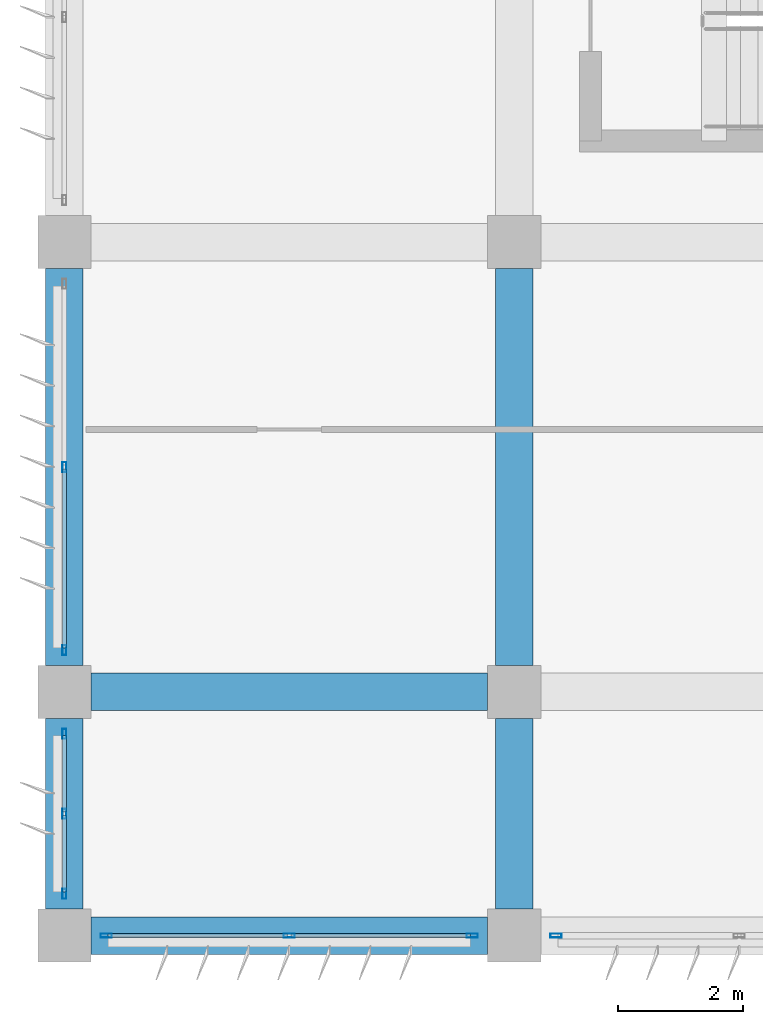
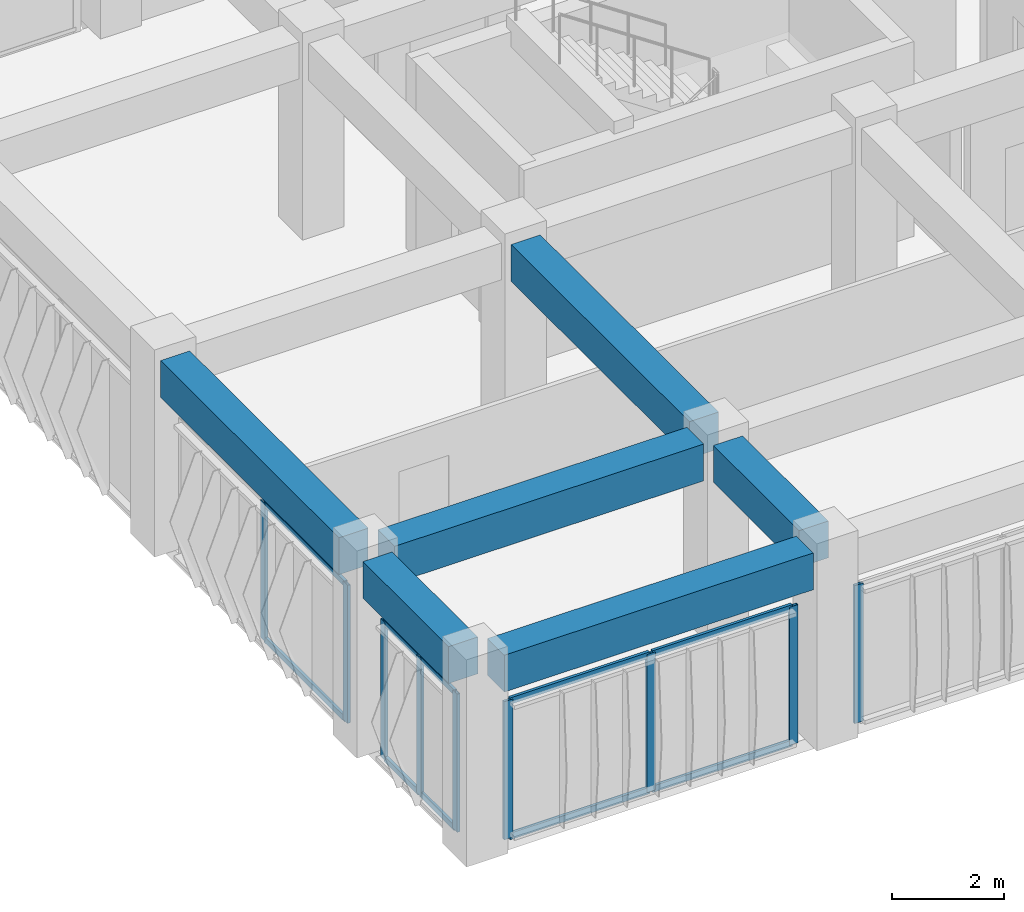
# One storey, part 2 of 48: 19 members, 6 beams, 4 elements without a shape of their own.
"""IFC4 building model written with IfcOpenShell, lengths in metres."""

from ifc_helpers import new_model, si_unit, direction, frame, origin, origin_2d, place, context, subcontext, project, spatial, rectangle, hollow_rectangle, extrude, material, material_profile, profile_set, type_object, element, aggregate, save


model = new_model("IFC4")

# Units and contexts
model_context = context("Model", 3, precision=1e-05, world=origin(), true_north=direction((0.0, 1.0)))
body_context = subcontext(model_context, "Body", "Model", "MODEL_VIEW")
ifc_project = project(units=[si_unit("LENGTHUNIT", "METRE"), si_unit("AREAUNIT", "SQUARE_METRE"), si_unit("VOLUMEUNIT", "CUBIC_METRE"), si_unit("PLANEANGLEUNIT", "RADIAN"), si_unit("MASSUNIT", "GRAM", prefix="KILO")], contexts=[model_context])

# Site, building, storey
site_placement = place(None, origin())
site = spatial("IfcSite", under=ifc_project, at=site_placement, CompositionType="ELEMENT")
building_placement = place(site_placement, origin())
building = spatial("IfcBuilding", under=site, at=building_placement, Name="Kazehaya Institute of Natural Sciences", CompositionType="ELEMENT")
storey_placement = place(building_placement, frame((0.0, 0.0, 19.800048828125)))
storey = spatial("IfcBuildingStorey", under=building, at=storey_placement, Name="L04", CompositionType="ELEMENT", Elevation=19.800048828125)

# Beams
ifc_material_1 = material(Name="Concrete Fc36", Category="concrete")
ifc_material_profile_1 = material_profile(ifc_material_1, rectangle(XDim=0.60009765625, YDim=0.800048828125, at=origin_2d()), Name="RC-600x800")
ifc_profile_set_1 = profile_set([ifc_material_profile_1], Name="Concrete Fc36")
beam_type = type_object("IfcBeamType", Name="BM-G-600x800", PredefinedType="BEAM", material=ifc_profile_set_1)
for number, where, z_axis, x_axis, name in (
    (1, (55.02490234375, 10.10009765625, 3.829833984375), (1.0, 0.0, 0.0), (0.0, 1.0, 0.0), "L04 primary X girder BMX-L04-546-101"),
    (2, (55.02490234375, 14.0, 3.829833984375), (1.0, 0.0, 0.0), (0.0, 1.0, 0.0), "L04 primary X girder BMX-L04-546-140"),
):
    element("IfcBeam", number, at=place(storey_placement, frame(where, z_axis=z_axis, x_axis=x_axis)), inside=storey, type_object=beam_type, Name=name, PredefinedType="BEAM", context=body_context, shape_type="SweptSolid", body=[
        extrude(rectangle(XDim=0.60009765625, YDim=0.800048828125, at=origin_2d()), origin(), (0.0, 0.0, 1.0), 6.35009765625),
    ])
beam_1_placement = place(storey_placement, frame((54.60009765625, 10.52490234375, 3.829833984375), z_axis=(0.0, 1.0, 0.0), x_axis=(-1.0, 0.0, 0.0)))
element("IfcBeam", 3, at=beam_1_placement, inside=storey, type_object=beam_type, Name="L04 primary Y girder BMY-L04-546-101", PredefinedType="BEAM", context=body_context, shape_type="SweptSolid", body=[
    extrude(rectangle(XDim=0.60009765625, YDim=0.800048828125, at=origin_2d()), origin(), (0.0, 0.0, 1.0), 3.050048828125),
])
beam_2_placement = place(storey_placement, frame((54.60009765625, 14.425048828125, 3.829833984375), z_axis=(0.0, 1.0, 0.0), x_axis=(-1.0, 0.0, 0.0)))
element("IfcBeam", 4, at=beam_2_placement, inside=storey, type_object=beam_type, Name="L04 primary Y girder BMY-L04-546-140", PredefinedType="BEAM", context=body_context, shape_type="SweptSolid", body=[
    extrude(rectangle(XDim=0.60009765625, YDim=0.800048828125, at=origin_2d()), origin(), (0.0, 0.0, 1.0), 6.349853515625),
])
beam_3_placement = place(storey_placement, frame((61.800048828125, 10.52490234375, 3.829833984375), z_axis=(0.0, 1.0, 0.0), x_axis=(-1.0, 0.0, 0.0)))
element("IfcBeam", 5, at=beam_3_placement, inside=storey, type_object=beam_type, Name="L04 primary Y girder BMY-L04-618-101", PredefinedType="BEAM", context=body_context, shape_type="SweptSolid", body=[
    extrude(rectangle(XDim=0.60009765625, YDim=0.800048828125, at=origin_2d()), origin(), (0.0, 0.0, 1.0), 3.050048828125),
])
beam_4_placement = place(storey_placement, frame((61.800048828125, 14.425048828125, 3.829833984375), z_axis=(0.0, 1.0, 0.0), x_axis=(-1.0, 0.0, 0.0)))
element("IfcBeam", 6, at=beam_4_placement, inside=storey, type_object=beam_type, Name="L04 primary Y girder BMY-L04-618-140", PredefinedType="BEAM", context=body_context, shape_type="SweptSolid", body=[
    extrude(rectangle(XDim=0.60009765625, YDim=0.800048828125, at=origin_2d()), origin(), (0.0, 0.0, 1.0), 6.349853515625),
])

# Curtain wall, members
ifc_material_2 = material(Name="Aluminium alloy A6063S-T5", Category="aluminium")
curtain_wall_type_1 = type_object("IfcCurtainWallType", Name="CW-SYS-08", PredefinedType="NOTDEFINED", material=ifc_material_2)
curtain_wall_1_placement = place(storey_placement, origin())
curtain_wall_1 = element("IfcCurtainWall", 7, at=curtain_wall_1_placement, inside=storey, type_object=curtain_wall_type_1, Name="L04 unitised curtain wall CW-L04-086", PredefinedType="NOTDEFINED")
ifc_material_profile_2 = material_profile(ifc_material_2, hollow_rectangle(XDim=0.06005859375, YDim=0.159912109375, WallThickness=0.00390625, at=origin_2d()), Name="ALU-60x160x4")
ifc_profile_set_2 = profile_set([ifc_material_profile_2], Name="Aluminium alloy A6063S-T5")
member_type_1 = type_object("IfcMemberType", Name="CWM-160", PredefinedType="MULLION", material=ifc_profile_set_2)
member_1_placement = place(storey_placement, frame((54.60009765625, 10.77001953125, 0.0), z_axis=(0.0, 0.0, 1.0), x_axis=(-1.0, 0.0, 0.0)))
member_1 = element("IfcMember", 8, at=member_1_placement, type_object=member_type_1, Name="CW08 mullion 1", PredefinedType="MULLION", context=body_context, shape_type="SweptSolid", body=[
    extrude(hollow_rectangle(XDim=0.06005859375, YDim=0.159912109375, WallThickness=0.00390625, at=origin_2d()), origin(), (0.0, 0.0, 1.0), 3.0),
])
member_2_placement = place(storey_placement, frame((54.60009765625, 12.050048828125, 0.0), z_axis=(0.0, 0.0, 1.0), x_axis=(-1.0, 0.0, 0.0)))
member_2 = element("IfcMember", 9, at=member_2_placement, type_object=member_type_1, Name="CW08 mullion 2", PredefinedType="MULLION", context=body_context, shape_type="SweptSolid", body=[
    extrude(hollow_rectangle(XDim=0.06005859375, YDim=0.159912109375, WallThickness=0.00390625, at=origin_2d()), origin(), (0.0, 0.0, 1.0), 3.0),
])
member_3_placement = place(storey_placement, frame((54.60009765625, 13.330078125, 0.0), z_axis=(0.0, 0.0, 1.0), x_axis=(-1.0, 0.0, 0.0)))
member_3 = element("IfcMember", 10, at=member_3_placement, type_object=member_type_1, Name="CW08 mullion 3", PredefinedType="MULLION", context=body_context, shape_type="SweptSolid", body=[
    extrude(hollow_rectangle(XDim=0.06005859375, YDim=0.159912109375, WallThickness=0.00390625, at=origin_2d()), origin(), (0.0, 0.0, 1.0), 3.0),
])

curtain_wall_type_2 = type_object("IfcCurtainWallType", Name="CW-SYS-10", PredefinedType="NOTDEFINED", material=ifc_material_2)
curtain_wall_2_placement = place(storey_placement, origin())
curtain_wall_2 = element("IfcCurtainWall", 11, at=curtain_wall_2_placement, inside=storey, type_object=curtain_wall_type_2, Name="L04 unitised curtain wall CW-L04-088", PredefinedType="NOTDEFINED")
member_4_placement = place(storey_placement, frame((54.60009765625, 14.669921875, 0.0), z_axis=(0.0, 0.0, 1.0), x_axis=(-1.0, 0.0, 0.0)))
member_4 = element("IfcMember", 12, at=member_4_placement, type_object=member_type_1, Name="CW10 mullion 1", PredefinedType="MULLION", context=body_context, shape_type="SweptSolid", body=[
    extrude(hollow_rectangle(XDim=0.06005859375, YDim=0.159912109375, WallThickness=0.00390625, at=origin_2d()), origin(), (0.0, 0.0, 1.0), 3.0),
])
member_5_placement = place(storey_placement, frame((54.60009765625, 17.60009765625, 0.0), z_axis=(0.0, 0.0, 1.0), x_axis=(-1.0, 0.0, 0.0)))
member_5 = element("IfcMember", 13, at=member_5_placement, type_object=member_type_1, Name="CW10 mullion 2", PredefinedType="MULLION", context=body_context, shape_type="SweptSolid", body=[
    extrude(hollow_rectangle(XDim=0.06005859375, YDim=0.159912109375, WallThickness=0.00390625, at=origin_2d()), origin(), (0.0, 0.0, 1.0), 3.0),
])

# Curtain wall, member
curtain_wall_type_3 = type_object("IfcCurtainWallType", Name="CW-SYS-04", PredefinedType="NOTDEFINED", material=ifc_material_2)
curtain_wall_3_placement = place(storey_placement, origin())
curtain_wall_3 = element("IfcCurtainWall", 14, at=curtain_wall_3_placement, inside=storey, type_object=curtain_wall_type_3, Name="L04 unitised curtain wall CW-L04-082", PredefinedType="NOTDEFINED")
ifc_material_profile_3 = material_profile(ifc_material_2, hollow_rectangle(XDim=0.06005859375, YDim=0.179931640625, WallThickness=0.00390625, at=origin_2d()), Name="ALU-60x180x4")
ifc_profile_set_3 = profile_set([ifc_material_profile_3], Name="Aluminium alloy A6063S-T5")
member_type_2 = type_object("IfcMemberType", Name="CWM-180", PredefinedType="MULLION", material=ifc_profile_set_3)
member_6_placement = place(storey_placement, frame((62.469970703125, 10.10009765625, 0.0), z_axis=(0.0, 0.0, 1.0), x_axis=(0.0, -1.0, 0.0)))
member_6 = element("IfcMember", 15, at=member_6_placement, type_object=member_type_2, Name="CW04 mullion 3", PredefinedType="MULLION", context=body_context, shape_type="SweptSolid", body=[
    extrude(hollow_rectangle(XDim=0.06005859375, YDim=0.179931640625, WallThickness=0.00390625, at=origin_2d()), origin(), (0.0, 0.0, 1.0), 3.0),
])
aggregate(curtain_wall_3, [member_6])

# Curtain wall, members
curtain_wall_4_placement = place(storey_placement, origin())
curtain_wall_4 = element("IfcCurtainWall", 16, at=curtain_wall_4_placement, inside=storey, type_object=curtain_wall_type_3, Name="L04 unitised curtain wall CW-L04-083", PredefinedType="NOTDEFINED")
member_7_placement = place(storey_placement, frame((61.1298828125, 10.10009765625, 0.0), z_axis=(0.0, 0.0, 1.0), x_axis=(0.0, -1.0, 0.0)))
member_7 = element("IfcMember", 17, at=member_7_placement, type_object=member_type_2, Name="CW04 mullion 1", PredefinedType="MULLION", context=body_context, shape_type="SweptSolid", body=[
    extrude(hollow_rectangle(XDim=0.06005859375, YDim=0.179931640625, WallThickness=0.00390625, at=origin_2d()), origin(), (0.0, 0.0, 1.0), 3.0),
])
member_8_placement = place(storey_placement, frame((58.199951171875, 10.10009765625, 0.0), z_axis=(0.0, 0.0, 1.0), x_axis=(0.0, -1.0, 0.0)))
member_8 = element("IfcMember", 18, at=member_8_placement, type_object=member_type_2, Name="CW04 mullion 2", PredefinedType="MULLION", context=body_context, shape_type="SweptSolid", body=[
    extrude(hollow_rectangle(XDim=0.06005859375, YDim=0.179931640625, WallThickness=0.00390625, at=origin_2d()), origin(), (0.0, 0.0, 1.0), 3.0),
])
member_9_placement = place(storey_placement, frame((55.27001953125, 10.10009765625, 0.0), z_axis=(0.0, 0.0, 1.0), x_axis=(0.0, -1.0, 0.0)))
member_9 = element("IfcMember", 19, at=member_9_placement, type_object=member_type_2, Name="CW04 mullion 3", PredefinedType="MULLION", context=body_context, shape_type="SweptSolid", body=[
    extrude(hollow_rectangle(XDim=0.06005859375, YDim=0.179931640625, WallThickness=0.00390625, at=origin_2d()), origin(), (0.0, 0.0, 1.0), 3.0),
])

# Member
ifc_material_profile_4 = material_profile(ifc_material_2, hollow_rectangle(XDim=0.06005859375, YDim=0.1201171875, WallThickness=0.00341796875, at=origin_2d()), Name="ALU-60x120x3.5")
ifc_profile_set_4 = profile_set([ifc_material_profile_4], Name="Aluminium alloy A6063S-T5")
member_type_3 = type_object("IfcMemberType", Name="CWT-120", PredefinedType="USERDEFINED", material=ifc_profile_set_4)
member_10_placement = place(storey_placement, frame((54.60009765625, 10.800048828125, 0.030029296875), z_axis=(0.0, 1.0, 0.0), x_axis=(-1.0, 0.0, 0.0)))
member_10 = element("IfcMember", 20, at=member_10_placement, type_object=member_type_3, Name="CW08 transom 1.1", ObjectType="TRANSOM", PredefinedType="USERDEFINED", context=body_context, shape_type="SweptSolid", body=[
    extrude(hollow_rectangle(XDim=0.06005859375, YDim=0.1201171875, WallThickness=0.00341796875, at=origin_2d()), origin(), (0.0, 0.0, 1.0), 1.219970703125),
])

member_11_placement = place(storey_placement, frame((54.60009765625, 10.800048828125, 2.969970703125), z_axis=(0.0, 1.0, 0.0), x_axis=(-1.0, 0.0, 0.0)))
member_11 = element("IfcMember", 21, at=member_11_placement, type_object=member_type_3, Name="CW08 transom 1.2", ObjectType="TRANSOM", PredefinedType="USERDEFINED", context=body_context, shape_type="SweptSolid", body=[
    extrude(hollow_rectangle(XDim=0.06005859375, YDim=0.1201171875, WallThickness=0.00341796875, at=origin_2d()), origin(), (0.0, 0.0, 1.0), 1.219970703125),
])

member_12_placement = place(storey_placement, frame((54.60009765625, 12.080078125, 0.030029296875), z_axis=(0.0, 1.0, 0.0), x_axis=(-1.0, 0.0, 0.0)))
member_12 = element("IfcMember", 22, at=member_12_placement, type_object=member_type_3, Name="CW08 transom 2.1", ObjectType="TRANSOM", PredefinedType="USERDEFINED", context=body_context, shape_type="SweptSolid", body=[
    extrude(hollow_rectangle(XDim=0.06005859375, YDim=0.1201171875, WallThickness=0.00341796875, at=origin_2d()), origin(), (0.0, 0.0, 1.0), 1.219970703125),
])

member_13_placement = place(storey_placement, frame((54.60009765625, 12.080078125, 2.969970703125), z_axis=(0.0, 1.0, 0.0), x_axis=(-1.0, 0.0, 0.0)))
member_13 = element("IfcMember", 23, at=member_13_placement, type_object=member_type_3, Name="CW08 transom 2.2", ObjectType="TRANSOM", PredefinedType="USERDEFINED", context=body_context, shape_type="SweptSolid", body=[
    extrude(hollow_rectangle(XDim=0.06005859375, YDim=0.1201171875, WallThickness=0.00341796875, at=origin_2d()), origin(), (0.0, 0.0, 1.0), 1.219970703125),
])

aggregate(curtain_wall_1, [member_1, member_2, member_3, member_10, member_11, member_12, member_13])

member_14_placement = place(storey_placement, frame((54.60009765625, 14.699951171875, 0.030029296875), z_axis=(0.0, 1.0, 0.0), x_axis=(-1.0, 0.0, 0.0)))
member_14 = element("IfcMember", 24, at=member_14_placement, type_object=member_type_3, Name="CW10 transom 1.1", ObjectType="TRANSOM", PredefinedType="USERDEFINED", context=body_context, shape_type="SweptSolid", body=[
    extrude(hollow_rectangle(XDim=0.06005859375, YDim=0.1201171875, WallThickness=0.00341796875, at=origin_2d()), origin(), (0.0, 0.0, 1.0), 2.8701171875),
])

member_15_placement = place(storey_placement, frame((54.60009765625, 14.699951171875, 2.969970703125), z_axis=(0.0, 1.0, 0.0), x_axis=(-1.0, 0.0, 0.0)))
member_15 = element("IfcMember", 25, at=member_15_placement, type_object=member_type_3, Name="CW10 transom 1.2", ObjectType="TRANSOM", PredefinedType="USERDEFINED", context=body_context, shape_type="SweptSolid", body=[
    extrude(hollow_rectangle(XDim=0.06005859375, YDim=0.1201171875, WallThickness=0.00341796875, at=origin_2d()), origin(), (0.0, 0.0, 1.0), 2.8701171875),
])

aggregate(curtain_wall_2, [member_4, member_5, member_14, member_15])

ifc_material_profile_5 = material_profile(ifc_material_2, hollow_rectangle(XDim=0.06005859375, YDim=0.139892578125, WallThickness=0.00341796875, at=origin_2d()), Name="ALU-60x140x3.5")
ifc_profile_set_5 = profile_set([ifc_material_profile_5], Name="Aluminium alloy A6063S-T5")
member_type_4 = type_object("IfcMemberType", Name="CWT-140", PredefinedType="USERDEFINED", material=ifc_profile_set_5)
member_16_placement = place(storey_placement, frame((61.10009765625, 10.10009765625, 0.030029296875), z_axis=(-1.0, 0.0, 0.0), x_axis=(0.0, -1.0, 0.0)))
member_16 = element("IfcMember", 26, at=member_16_placement, type_object=member_type_4, Name="CW04 transom 1.1", ObjectType="TRANSOM", PredefinedType="USERDEFINED", context=body_context, shape_type="SweptSolid", body=[
    extrude(hollow_rectangle(XDim=0.06005859375, YDim=0.139892578125, WallThickness=0.00341796875, at=origin_2d()), origin(), (0.0, 0.0, 1.0), 2.8701171875),
])

member_17_placement = place(storey_placement, frame((61.10009765625, 10.10009765625, 2.969970703125), z_axis=(-1.0, 0.0, 0.0), x_axis=(0.0, -1.0, 0.0)))
member_17 = element("IfcMember", 27, at=member_17_placement, type_object=member_type_4, Name="CW04 transom 1.2", ObjectType="TRANSOM", PredefinedType="USERDEFINED", context=body_context, shape_type="SweptSolid", body=[
    extrude(hollow_rectangle(XDim=0.06005859375, YDim=0.139892578125, WallThickness=0.00341796875, at=origin_2d()), origin(), (0.0, 0.0, 1.0), 2.8701171875),
])

member_18_placement = place(storey_placement, frame((58.169921875, 10.10009765625, 0.030029296875), z_axis=(-1.0, 0.0, 0.0), x_axis=(0.0, -1.0, 0.0)))
member_18 = element("IfcMember", 28, at=member_18_placement, type_object=member_type_4, Name="CW04 transom 2.1", ObjectType="TRANSOM", PredefinedType="USERDEFINED", context=body_context, shape_type="SweptSolid", body=[
    extrude(hollow_rectangle(XDim=0.06005859375, YDim=0.139892578125, WallThickness=0.00341796875, at=origin_2d()), origin(), (0.0, 0.0, 1.0), 2.869873046875),
])

member_19_placement = place(storey_placement, frame((58.169921875, 10.10009765625, 2.969970703125), z_axis=(-1.0, 0.0, 0.0), x_axis=(0.0, -1.0, 0.0)))
member_19 = element("IfcMember", 29, at=member_19_placement, type_object=member_type_4, Name="CW04 transom 2.2", ObjectType="TRANSOM", PredefinedType="USERDEFINED", context=body_context, shape_type="SweptSolid", body=[
    extrude(hollow_rectangle(XDim=0.06005859375, YDim=0.139892578125, WallThickness=0.00341796875, at=origin_2d()), origin(), (0.0, 0.0, 1.0), 2.869873046875),
])

aggregate(curtain_wall_4, [member_7, member_8, member_9, member_16, member_17, member_18, member_19])

save(model, "model.ifc")
